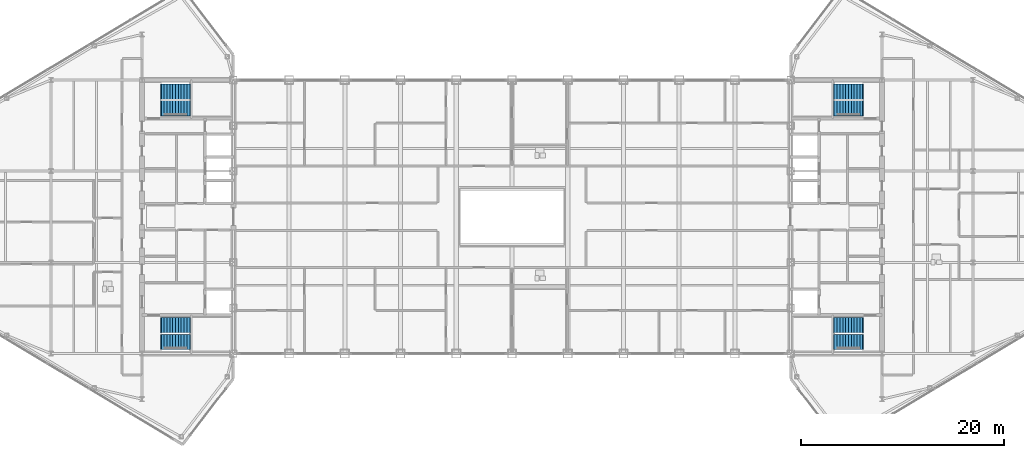
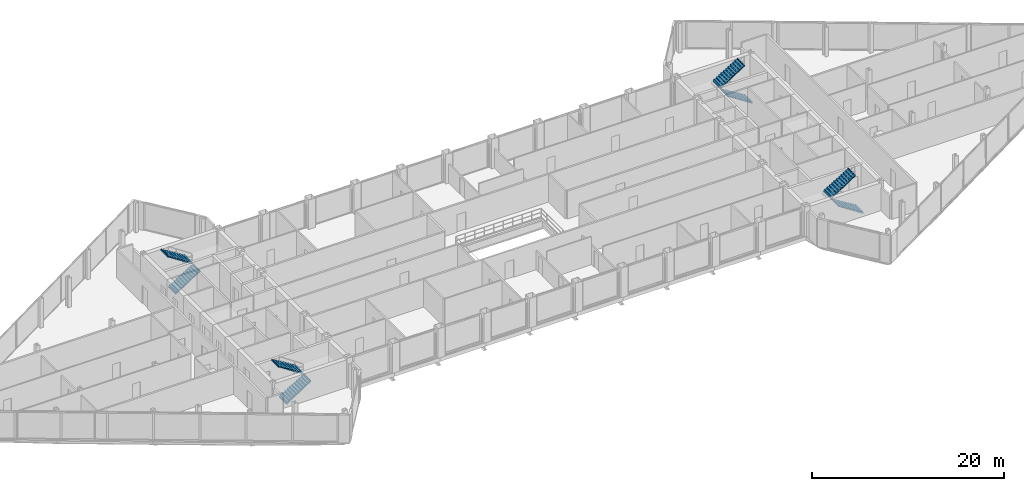
# One storey, part 27 of 29: 8 stair flights, 4 elements without a shape of their own.
"""IFC4 building model written with IfcOpenShell, lengths in metres."""

from ifc_helpers import new_model, si_unit, direction, frame, origin, place, context, subcontext, project, spatial, polyline, outline, extrude, material, type_object, element, aggregate, save


model = new_model("IFC4")

# Units and contexts
model_context = context("Model", 3, precision=1e-05, world=origin(), true_north=direction((0.0, 1.0)))
body_context = subcontext(model_context, "Body", "Model", "MODEL_VIEW")
ifc_project = project(units=[si_unit("LENGTHUNIT", "METRE"), si_unit("AREAUNIT", "SQUARE_METRE"), si_unit("VOLUMEUNIT", "CUBIC_METRE"), si_unit("PLANEANGLEUNIT", "RADIAN"), si_unit("MASSUNIT", "GRAM", prefix="KILO")], contexts=[model_context])

# Site, building, storey
site_placement = place(None, origin())
site = spatial("IfcSite", under=ifc_project, at=site_placement, CompositionType="ELEMENT")
building_placement = place(site_placement, origin())
building = spatial("IfcBuilding", under=site, at=building_placement, Name="Seokmaru Belvedere", CompositionType="ELEMENT")
storey_placement = place(building_placement, frame((0.0, 0.0, 243.14990234375)))
storey = spatial("IfcBuildingStorey", under=building, at=storey_placement, Name="L64", CompositionType="ELEMENT", Elevation=243.14990234375)

# Stair, stair flights
ifc_material = material(Name="Concrete C40 (40 MPa)", Category="concrete")
stair_type = type_object("IfcStairType", Name="Sky-Gate Residential Core Dog-Leg Stair 3750", PredefinedType="TWO_STRAIGHT_RUN_STAIR", material=ifc_material)
stair_1_placement = place(storey_placement, origin())
stair_1 = element("IfcStair", 1, at=stair_1_placement, inside=storey, type_object=stair_type, Name="L64 Special Escape Stair ST-W1", PredefinedType="TWO_STRAIGHT_RUN_STAIR")
stair_flight_type = type_object("IfcStairFlightType", Name="Reinforced Concrete Stair Flight 1500", PredefinedType="STRAIGHT", material=ifc_material)
stair_flight_1_placement = place(storey_placement, frame((-34.60009765625, -12.35009765625, 0.0), z_axis=(0.0, 0.0, 1.0), x_axis=(1.0, 0.0, 0.0)))
stair_flight_1 = element("IfcStairFlight", 2, at=stair_flight_1_placement, type_object=stair_flight_type, Name="ST-W1 flight 1", NumberOfRisers=11, NumberOfTreads=10, PredefinedType="STRAIGHT", RiserHeight=0.170454545, TreadLength=0.28, context=body_context, shape_type="SweptSolid", body=[
    extrude(outline(polyline([(-0.080078125, 0.0), (0.0, 0.17041015625), (0.280029296875, 0.17041015625), (0.280029296875, 0.3408203125), (0.56005859375, 0.3408203125), (0.56005859375, 0.511474609375), (0.840087890625, 0.511474609375), (0.840087890625, 0.681884765625), (1.1201171875, 0.681884765625), (1.1201171875, 0.852294921875), (1.39990234375, 0.852294921875), (1.39990234375, 1.022705078125), (1.679931640625, 1.022705078125), (1.679931640625, 1.193115234375), (1.9599609375, 1.193115234375), (1.9599609375, 1.363525390625), (2.239990234375, 1.363525390625), (2.239990234375, 1.5341796875), (2.52001953125, 1.5341796875), (2.52001953125, 1.70458984375), (2.800048828125, 1.70458984375), (2.800048828125, 1.875), (2.8798828125, 1.875), (2.8798828125, 1.68505859375), (2.800048828125, 1.68505859375), (0.0, -0.159912109375), (-0.080078125, -0.159912109375), (-0.080078125, 0.0)])), frame((0.0, 0.75, 0.0), z_axis=(0.0, -1.0, 0.0), x_axis=(1.0, 0.0, 0.0)), (0.0, 0.0, 1.0), 1.5),
])
stair_flight_2_placement = place(storey_placement, frame((-31.800048828125, -10.7099609375, 1.875), z_axis=(0.0, 0.0, 1.0), x_axis=(-1.0, 0.0, 0.0)))
stair_flight_2 = element("IfcStairFlight", 3, at=stair_flight_2_placement, type_object=stair_flight_type, Name="ST-W1 flight 2", NumberOfRisers=11, NumberOfTreads=10, PredefinedType="STRAIGHT", RiserHeight=0.170454545, TreadLength=0.28, context=body_context, shape_type="SweptSolid", body=[
    extrude(outline(polyline([(-0.080078125, 0.0), (0.0, 0.17041015625), (0.280029296875, 0.17041015625), (0.280029296875, 0.3408203125), (0.56005859375, 0.3408203125), (0.56005859375, 0.511474609375), (0.840087890625, 0.511474609375), (0.840087890625, 0.681884765625), (1.1201171875, 0.681884765625), (1.1201171875, 0.852294921875), (1.39990234375, 0.852294921875), (1.39990234375, 1.022705078125), (1.679931640625, 1.022705078125), (1.679931640625, 1.193115234375), (1.9599609375, 1.193115234375), (1.9599609375, 1.363525390625), (2.239990234375, 1.363525390625), (2.239990234375, 1.5341796875), (2.52001953125, 1.5341796875), (2.52001953125, 1.70458984375), (2.800048828125, 1.70458984375), (2.800048828125, 1.875), (2.8798828125, 1.875), (2.8798828125, 1.68505859375), (2.800048828125, 1.68505859375), (0.0, -0.159912109375), (-0.080078125, -0.159912109375), (-0.080078125, 0.0)])), frame((0.0, 0.75, 0.0), z_axis=(0.0, -1.0, 0.0), x_axis=(1.0, 0.0, 0.0)), (0.0, 0.0, 1.0), 1.5),
])
aggregate(stair_1, [stair_flight_1, stair_flight_2])

stair_2_placement = place(storey_placement, origin())
stair_2 = element("IfcStair", 4, at=stair_2_placement, inside=storey, type_object=stair_type, Name="L64 Special Escape Stair ST-W2", PredefinedType="TWO_STRAIGHT_RUN_STAIR")
stair_flight_3_placement = place(storey_placement, frame((-34.60009765625, 10.7099609375, 0.0), z_axis=(0.0, 0.0, 1.0), x_axis=(1.0, 0.0, 0.0)))
stair_flight_3 = element("IfcStairFlight", 5, at=stair_flight_3_placement, type_object=stair_flight_type, Name="ST-W2 flight 1", NumberOfRisers=11, NumberOfTreads=10, PredefinedType="STRAIGHT", RiserHeight=0.170454545, TreadLength=0.28, context=body_context, shape_type="SweptSolid", body=[
    extrude(outline(polyline([(-0.080078125, 0.0), (0.0, 0.17041015625), (0.280029296875, 0.17041015625), (0.280029296875, 0.3408203125), (0.56005859375, 0.3408203125), (0.56005859375, 0.511474609375), (0.840087890625, 0.511474609375), (0.840087890625, 0.681884765625), (1.1201171875, 0.681884765625), (1.1201171875, 0.852294921875), (1.39990234375, 0.852294921875), (1.39990234375, 1.022705078125), (1.679931640625, 1.022705078125), (1.679931640625, 1.193115234375), (1.9599609375, 1.193115234375), (1.9599609375, 1.363525390625), (2.239990234375, 1.363525390625), (2.239990234375, 1.5341796875), (2.52001953125, 1.5341796875), (2.52001953125, 1.70458984375), (2.800048828125, 1.70458984375), (2.800048828125, 1.875), (2.8798828125, 1.875), (2.8798828125, 1.68505859375), (2.800048828125, 1.68505859375), (0.0, -0.159912109375), (-0.080078125, -0.159912109375), (-0.080078125, 0.0)])), frame((0.0, 0.75, 0.0), z_axis=(0.0, -1.0, 0.0), x_axis=(1.0, 0.0, 0.0)), (0.0, 0.0, 1.0), 1.5),
])
stair_flight_4_placement = place(storey_placement, frame((-31.800048828125, 12.35009765625, 1.875), z_axis=(0.0, 0.0, 1.0), x_axis=(-1.0, 0.0, 0.0)))
stair_flight_4 = element("IfcStairFlight", 6, at=stair_flight_4_placement, type_object=stair_flight_type, Name="ST-W2 flight 2", NumberOfRisers=11, NumberOfTreads=10, PredefinedType="STRAIGHT", RiserHeight=0.170454545, TreadLength=0.28, context=body_context, shape_type="SweptSolid", body=[
    extrude(outline(polyline([(-0.080078125, 0.0), (0.0, 0.17041015625), (0.280029296875, 0.17041015625), (0.280029296875, 0.3408203125), (0.56005859375, 0.3408203125), (0.56005859375, 0.511474609375), (0.840087890625, 0.511474609375), (0.840087890625, 0.681884765625), (1.1201171875, 0.681884765625), (1.1201171875, 0.852294921875), (1.39990234375, 0.852294921875), (1.39990234375, 1.022705078125), (1.679931640625, 1.022705078125), (1.679931640625, 1.193115234375), (1.9599609375, 1.193115234375), (1.9599609375, 1.363525390625), (2.239990234375, 1.363525390625), (2.239990234375, 1.5341796875), (2.52001953125, 1.5341796875), (2.52001953125, 1.70458984375), (2.800048828125, 1.70458984375), (2.800048828125, 1.875), (2.8798828125, 1.875), (2.8798828125, 1.68505859375), (2.800048828125, 1.68505859375), (0.0, -0.159912109375), (-0.080078125, -0.159912109375), (-0.080078125, 0.0)])), frame((0.0, 0.75, 0.0), z_axis=(0.0, -1.0, 0.0), x_axis=(1.0, 0.0, 0.0)), (0.0, 0.0, 1.0), 1.5),
])
aggregate(stair_2, [stair_flight_3, stair_flight_4])

stair_3_placement = place(storey_placement, origin())
stair_3 = element("IfcStair", 7, at=stair_3_placement, inside=storey, type_object=stair_type, Name="L64 Special Escape Stair ST-E1", PredefinedType="TWO_STRAIGHT_RUN_STAIR")
stair_flight_5_placement = place(storey_placement, frame((34.60009765625, -12.35009765625, 0.0), z_axis=(0.0, 0.0, 1.0), x_axis=(-1.0, 0.0, 0.0)))
stair_flight_5 = element("IfcStairFlight", 8, at=stair_flight_5_placement, type_object=stair_flight_type, Name="ST-E1 flight 1", NumberOfRisers=11, NumberOfTreads=10, PredefinedType="STRAIGHT", RiserHeight=0.170454545, TreadLength=0.28, context=body_context, shape_type="SweptSolid", body=[
    extrude(outline(polyline([(-0.080078125, 0.0), (0.0, 0.17041015625), (0.280029296875, 0.17041015625), (0.280029296875, 0.3408203125), (0.56005859375, 0.3408203125), (0.56005859375, 0.511474609375), (0.840087890625, 0.511474609375), (0.840087890625, 0.681884765625), (1.1201171875, 0.681884765625), (1.1201171875, 0.852294921875), (1.39990234375, 0.852294921875), (1.39990234375, 1.022705078125), (1.679931640625, 1.022705078125), (1.679931640625, 1.193115234375), (1.9599609375, 1.193115234375), (1.9599609375, 1.363525390625), (2.239990234375, 1.363525390625), (2.239990234375, 1.5341796875), (2.52001953125, 1.5341796875), (2.52001953125, 1.70458984375), (2.800048828125, 1.70458984375), (2.800048828125, 1.875), (2.8798828125, 1.875), (2.8798828125, 1.68505859375), (2.800048828125, 1.68505859375), (0.0, -0.159912109375), (-0.080078125, -0.159912109375), (-0.080078125, 0.0)])), frame((0.0, 0.75, 0.0), z_axis=(0.0, -1.0, 0.0), x_axis=(1.0, 0.0, 0.0)), (0.0, 0.0, 1.0), 1.5),
])
stair_flight_6_placement = place(storey_placement, frame((31.800048828125, -10.7099609375, 1.875), z_axis=(0.0, 0.0, 1.0), x_axis=(1.0, 0.0, 0.0)))
stair_flight_6 = element("IfcStairFlight", 9, at=stair_flight_6_placement, type_object=stair_flight_type, Name="ST-E1 flight 2", NumberOfRisers=11, NumberOfTreads=10, PredefinedType="STRAIGHT", RiserHeight=0.170454545, TreadLength=0.28, context=body_context, shape_type="SweptSolid", body=[
    extrude(outline(polyline([(-0.080078125, 0.0), (0.0, 0.17041015625), (0.280029296875, 0.17041015625), (0.280029296875, 0.3408203125), (0.56005859375, 0.3408203125), (0.56005859375, 0.511474609375), (0.840087890625, 0.511474609375), (0.840087890625, 0.681884765625), (1.1201171875, 0.681884765625), (1.1201171875, 0.852294921875), (1.39990234375, 0.852294921875), (1.39990234375, 1.022705078125), (1.679931640625, 1.022705078125), (1.679931640625, 1.193115234375), (1.9599609375, 1.193115234375), (1.9599609375, 1.363525390625), (2.239990234375, 1.363525390625), (2.239990234375, 1.5341796875), (2.52001953125, 1.5341796875), (2.52001953125, 1.70458984375), (2.800048828125, 1.70458984375), (2.800048828125, 1.875), (2.8798828125, 1.875), (2.8798828125, 1.68505859375), (2.800048828125, 1.68505859375), (0.0, -0.159912109375), (-0.080078125, -0.159912109375), (-0.080078125, 0.0)])), frame((0.0, 0.75, 0.0), z_axis=(0.0, -1.0, 0.0), x_axis=(1.0, 0.0, 0.0)), (0.0, 0.0, 1.0), 1.5),
])
aggregate(stair_3, [stair_flight_5, stair_flight_6])

stair_4_placement = place(storey_placement, origin())
stair_4 = element("IfcStair", 10, at=stair_4_placement, inside=storey, type_object=stair_type, Name="L64 Special Escape Stair ST-E2", PredefinedType="TWO_STRAIGHT_RUN_STAIR")
stair_flight_7_placement = place(storey_placement, frame((34.60009765625, 10.7099609375, 0.0), z_axis=(0.0, 0.0, 1.0), x_axis=(-1.0, 0.0, 0.0)))
stair_flight_7 = element("IfcStairFlight", 11, at=stair_flight_7_placement, type_object=stair_flight_type, Name="ST-E2 flight 1", NumberOfRisers=11, NumberOfTreads=10, PredefinedType="STRAIGHT", RiserHeight=0.170454545, TreadLength=0.28, context=body_context, shape_type="SweptSolid", body=[
    extrude(outline(polyline([(-0.080078125, 0.0), (0.0, 0.17041015625), (0.280029296875, 0.17041015625), (0.280029296875, 0.3408203125), (0.56005859375, 0.3408203125), (0.56005859375, 0.511474609375), (0.840087890625, 0.511474609375), (0.840087890625, 0.681884765625), (1.1201171875, 0.681884765625), (1.1201171875, 0.852294921875), (1.39990234375, 0.852294921875), (1.39990234375, 1.022705078125), (1.679931640625, 1.022705078125), (1.679931640625, 1.193115234375), (1.9599609375, 1.193115234375), (1.9599609375, 1.363525390625), (2.239990234375, 1.363525390625), (2.239990234375, 1.5341796875), (2.52001953125, 1.5341796875), (2.52001953125, 1.70458984375), (2.800048828125, 1.70458984375), (2.800048828125, 1.875), (2.8798828125, 1.875), (2.8798828125, 1.68505859375), (2.800048828125, 1.68505859375), (0.0, -0.159912109375), (-0.080078125, -0.159912109375), (-0.080078125, 0.0)])), frame((0.0, 0.75, 0.0), z_axis=(0.0, -1.0, 0.0), x_axis=(1.0, 0.0, 0.0)), (0.0, 0.0, 1.0), 1.5),
])
stair_flight_8_placement = place(storey_placement, frame((31.800048828125, 12.35009765625, 1.875), z_axis=(0.0, 0.0, 1.0), x_axis=(1.0, 0.0, 0.0)))
stair_flight_8 = element("IfcStairFlight", 12, at=stair_flight_8_placement, type_object=stair_flight_type, Name="ST-E2 flight 2", NumberOfRisers=11, NumberOfTreads=10, PredefinedType="STRAIGHT", RiserHeight=0.170454545, TreadLength=0.28, context=body_context, shape_type="SweptSolid", body=[
    extrude(outline(polyline([(-0.080078125, 0.0), (0.0, 0.17041015625), (0.280029296875, 0.17041015625), (0.280029296875, 0.3408203125), (0.56005859375, 0.3408203125), (0.56005859375, 0.511474609375), (0.840087890625, 0.511474609375), (0.840087890625, 0.681884765625), (1.1201171875, 0.681884765625), (1.1201171875, 0.852294921875), (1.39990234375, 0.852294921875), (1.39990234375, 1.022705078125), (1.679931640625, 1.022705078125), (1.679931640625, 1.193115234375), (1.9599609375, 1.193115234375), (1.9599609375, 1.363525390625), (2.239990234375, 1.363525390625), (2.239990234375, 1.5341796875), (2.52001953125, 1.5341796875), (2.52001953125, 1.70458984375), (2.800048828125, 1.70458984375), (2.800048828125, 1.875), (2.8798828125, 1.875), (2.8798828125, 1.68505859375), (2.800048828125, 1.68505859375), (0.0, -0.159912109375), (-0.080078125, -0.159912109375), (-0.080078125, 0.0)])), frame((0.0, 0.75, 0.0), z_axis=(0.0, -1.0, 0.0), x_axis=(1.0, 0.0, 0.0)), (0.0, 0.0, 1.0), 1.5),
])
aggregate(stair_4, [stair_flight_7, stair_flight_8])

save(model, "model.ifc")
